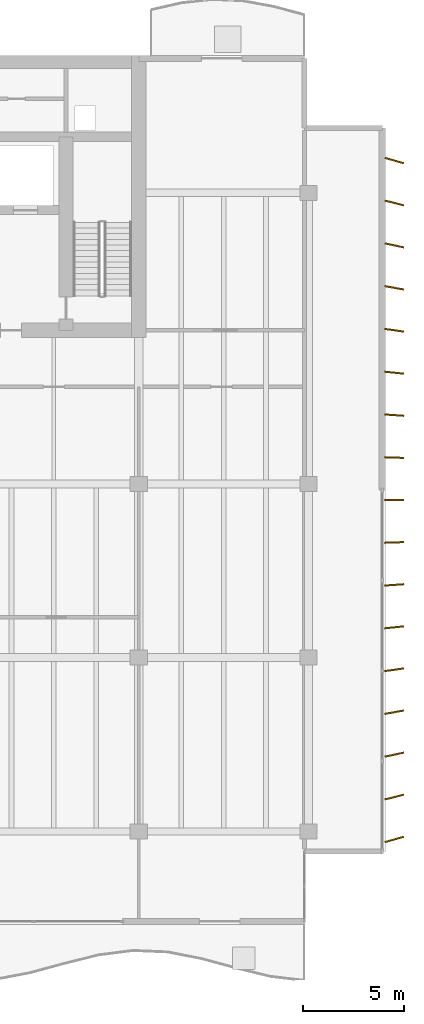
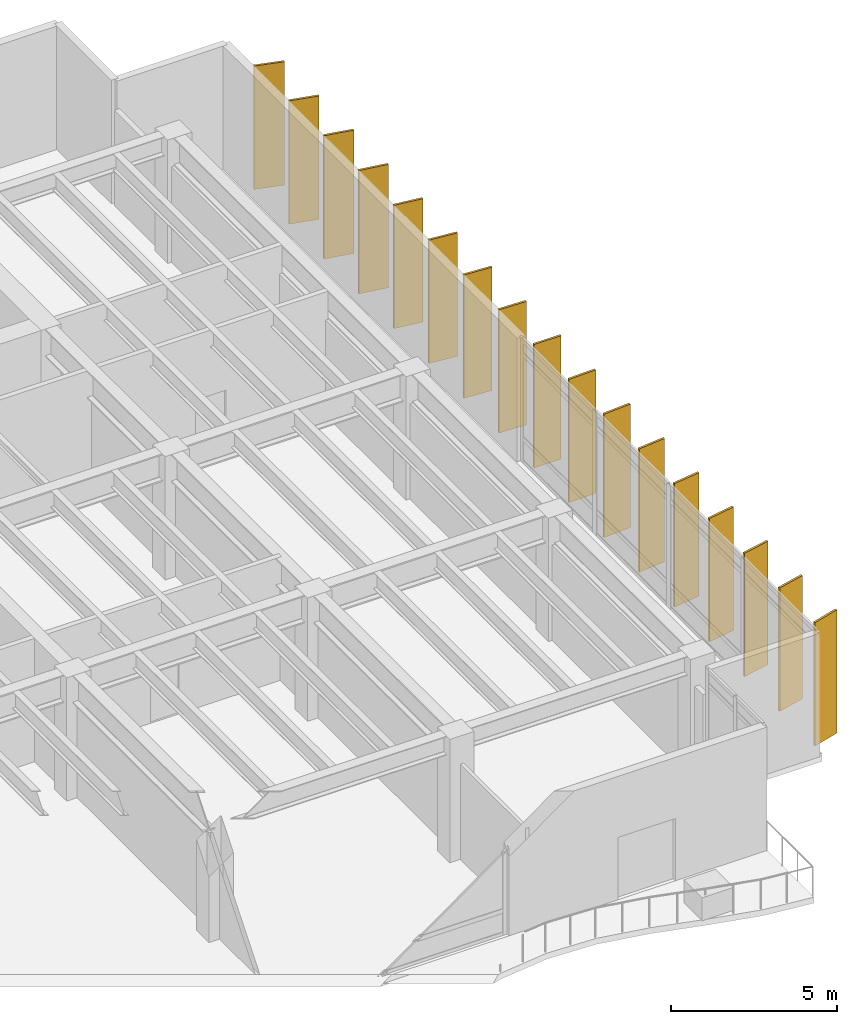
# One storey, part 15 of 15: 17 shading devices.
"""IFC4 building model written with IfcOpenShell, lengths in metres."""

from ifc_helpers import new_model, si_unit, direction, frame, origin, origin_2d, place, context, subcontext, project, spatial, rectangle, extrude, material, material_profile, profile_set, type_object, element, save


model = new_model("IFC4")

# Units and contexts
model_context = context("Model", 3, precision=1e-05, world=origin(), true_north=direction((0.0, 1.0)))
body_context = subcontext(model_context, "Body", "Model", "MODEL_VIEW")
ifc_project = project(units=[si_unit("LENGTHUNIT", "METRE"), si_unit("AREAUNIT", "SQUARE_METRE"), si_unit("VOLUMEUNIT", "CUBIC_METRE"), si_unit("PLANEANGLEUNIT", "RADIAN"), si_unit("MASSUNIT", "GRAM", prefix="KILO")], contexts=[model_context])

# Site, building, storey
site_placement = place(None, origin())
site = spatial("IfcSite", under=ifc_project, at=site_placement, CompositionType="ELEMENT")
building_placement = place(site_placement, origin())
building = spatial("IfcBuilding", under=site, at=building_placement, Name="Caelmar Bay Residences", CompositionType="ELEMENT")
storey_placement = place(building_placement, frame((0.0, 0.0, 183.60009765625)))
storey = spatial("IfcBuildingStorey", under=building, at=storey_placement, Name="L51", CompositionType="ELEMENT", Elevation=183.60009765625)

# Shading devices
ifc_material = material(Name="Anodised architectural bronze aluminium 6063-T6", Category="aluminium")
ifc_material_profile = material_profile(ifc_material, rectangle(XDim=0.074951171875, YDim=0.949951171875, at=origin_2d()), Name="BRONZE-FIN-75X950")
ifc_profile_set = profile_set([ifc_material_profile], Name="Anodised architectural bronze aluminium 6063-T6")
shading_device_type = type_object("IfcShadingDeviceType", Name="SHD-FIN-950", PredefinedType="USERDEFINED", material=ifc_profile_set)
for number, where, z_axis, x_axis, name in (
    (1, (72.14990234375, 11.800048828125, 0.0), (0.0, 0.0, 1.0), (-0.275637355817, 0.961261695938, 0.0), "L51 East Bronze Solar Fin 1"),
    (2, (72.14990234375, 13.89990234375, 0.0), (0.0, 0.0, 1.0), (-0.2419218956, 0.970295726276, 0.0), "L51 East Bronze Solar Fin 2"),
    (3, (72.14990234375, 16.0, 0.0), (0.0, 0.0, 1.0), (-0.207911690818, 0.978147600734, 0.0), "L51 East Bronze Solar Fin 3"),
    (4, (72.14990234375, 18.10009765625, 0.0), (0.0, 0.0, 1.0), (-0.173648177667, 0.984807753012, 0.0), "L51 East Bronze Solar Fin 4"),
    (5, (72.14990234375, 20.199951171875, 0.0), (0.0, 0.0, 1.0), (-0.13917310096, 0.990268068742, 0.0), "L51 East Bronze Solar Fin 5"),
    (6, (72.14990234375, 22.300048828125, 0.0), (0.0, 0.0, 1.0), (-0.104528463268, 0.994521895368, 0.0), "L51 East Bronze Solar Fin 6"),
    (7, (72.14990234375, 24.39990234375, 0.0), (0.0, 0.0, 1.0), (-0.069756473744, 0.99756405026, 0.0), "L51 East Bronze Solar Fin 7"),
    (8, (72.14990234375, 26.5, 0.0), (0.0, 0.0, 1.0), (-0.034899496703, 0.999390827019, 0.0), "L51 East Bronze Solar Fin 8"),
    (9, (72.14990234375, 28.60009765625, 0.0), (0.0, 0.0, 1.0), (0.0, 1.0, 0.0), "L51 East Bronze Solar Fin 9"),
    (10, (72.14990234375, 30.699951171875, 0.0), (0.0, 0.0, 1.0), (0.034899496703, 0.999390827019, 0.0), "L51 East Bronze Solar Fin 10"),
    (11, (72.14990234375, 32.800048828125, 0.0), (0.0, 0.0, 1.0), (0.069756473744, 0.99756405026, 0.0), "L51 East Bronze Solar Fin 11"),
    (12, (72.14990234375, 34.89990234375, 0.0), (0.0, 0.0, 1.0), (0.104528463268, 0.994521895368, 0.0), "L51 East Bronze Solar Fin 12"),
    (13, (72.14990234375, 37.0, 0.0), (0.0, 0.0, 1.0), (0.13917310096, 0.990268068742, 0.0), "L51 East Bronze Solar Fin 13"),
    (14, (72.14990234375, 39.10009765625, 0.0), (0.0, 0.0, 1.0), (0.173648177667, 0.984807753012, 0.0), "L51 East Bronze Solar Fin 14"),
    (15, (72.14990234375, 41.199951171875, 0.0), (0.0, 0.0, 1.0), (0.207911690818, 0.978147600734, 0.0), "L51 East Bronze Solar Fin 15"),
    (16, (72.14990234375, 43.300048828125, 0.0), (0.0, 0.0, 1.0), (0.2419218956, 0.970295726276, 0.0), "L51 East Bronze Solar Fin 16"),
    (17, (72.14990234375, 45.39990234375, 0.0), (0.0, 0.0, 1.0), (0.275637355817, 0.961261695938, 0.0), "L51 East Bronze Solar Fin 17"),
):
    element("IfcShadingDevice", number, at=place(storey_placement, frame(where, z_axis=z_axis, x_axis=x_axis)), inside=storey, type_object=shading_device_type, Name=name, ObjectType="FIN", PredefinedType="USERDEFINED", context=body_context, shape_type="SweptSolid", body=[
        extrude(rectangle(XDim=0.074951171875, YDim=0.949951171875, at=origin_2d()), origin(), (0.0, 0.0, 1.0), 4.5498046875),
    ])

save(model, "model.ifc")
